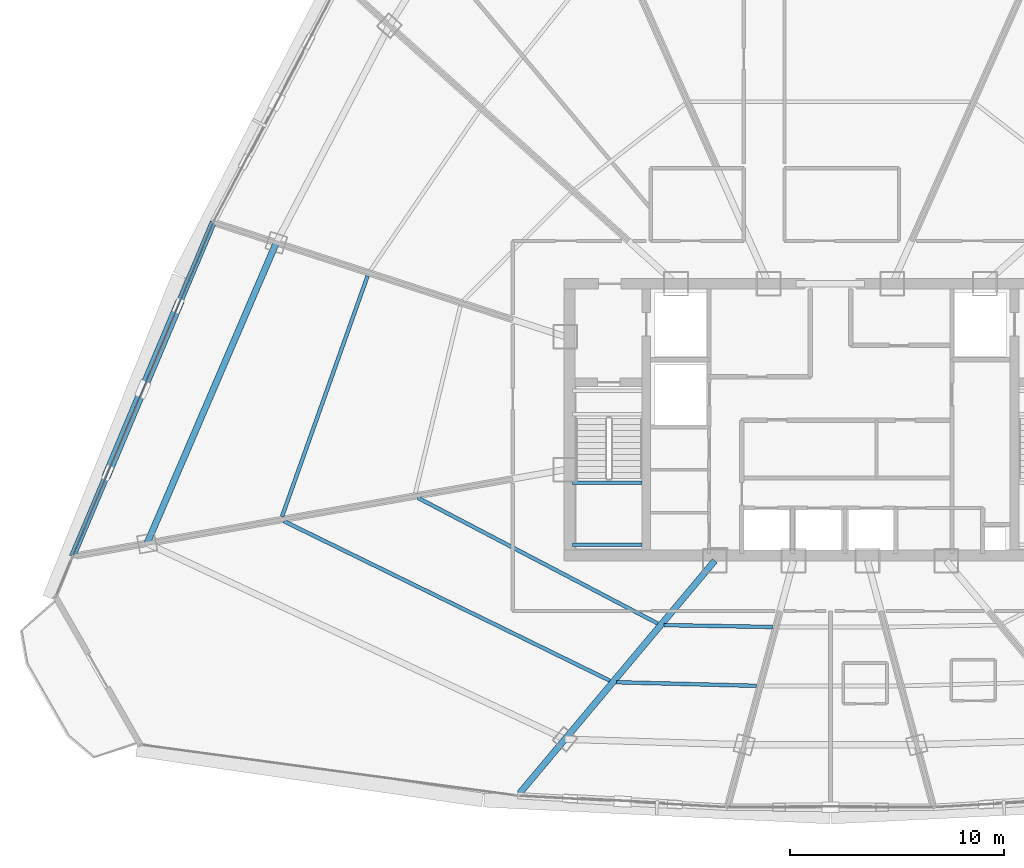
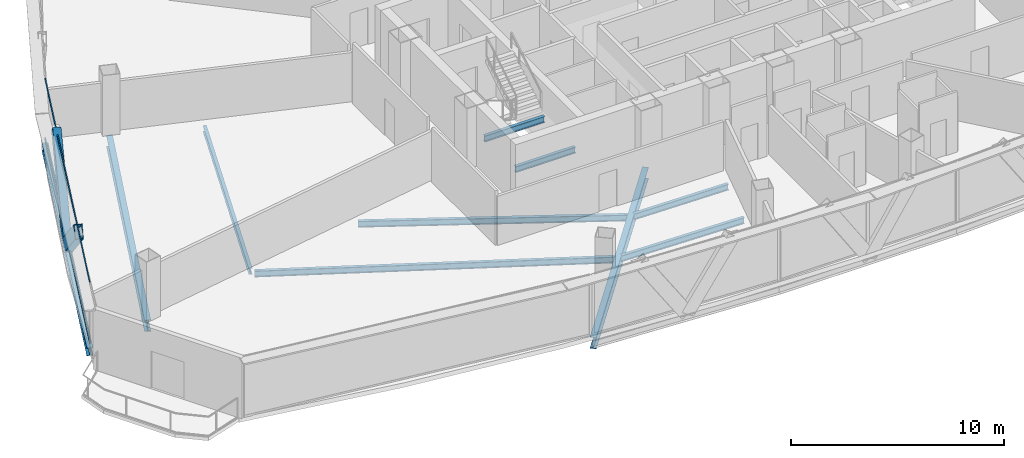
# One storey, part 7 of 34: 10 beams, 4 members, 1 element without a shape of its own.
"""IFC4 building model written with IfcOpenShell, lengths in metres."""

from ifc_helpers import new_model, si_unit, direction, frame, origin, origin_2d, place, context, subcontext, project, spatial, hollow_rectangle, i_section, extrude, source, transform, mapped, material, layer, layer_set, material_profile, profile_set, type_object, element, aggregate, save


model = new_model("IFC4")

# Units and contexts
model_context = context("Model", 3, precision=1e-05, world=origin(), true_north=direction((0.0, 1.0)))
body_context = subcontext(model_context, "Body", "Model", "MODEL_VIEW")
ifc_project = project(units=[si_unit("LENGTHUNIT", "METRE"), si_unit("AREAUNIT", "SQUARE_METRE"), si_unit("VOLUMEUNIT", "CUBIC_METRE"), si_unit("PLANEANGLEUNIT", "RADIAN"), si_unit("MASSUNIT", "GRAM", prefix="KILO"), si_unit("THERMODYNAMICTEMPERATUREUNIT", "KELVIN"), si_unit("POWERUNIT", "WATT")], contexts=[model_context])

# Site, building, storey
site_placement = place(None, origin())
site = spatial("IfcSite", under=ifc_project, at=site_placement, CompositionType="ELEMENT")
building_placement = place(site_placement, origin())
building = spatial("IfcBuilding", under=site, at=building_placement, Name="Yunzhuo Pagoda Commons", CompositionType="ELEMENT")
storey_placement = place(building_placement, frame((0.0, 0.0, 233.340087890625)))
storey = spatial("IfcBuildingStorey", under=building, at=storey_placement, Name="L58", CompositionType="ELEMENT", Elevation=233.340087890625)

# Beams
ifc_material_1 = material(Name="Structural steel Q355B", Category="steel")
ifc_material_profile_1 = material_profile(ifc_material_1, i_section(OverallWidth=0.175048828125, OverallDepth=0.35009765625, WebThickness=0.007080078125, FlangeThickness=0.010986328125, at=origin_2d()), Name="Structural steel Q355B")
ifc_profile_set_1 = profile_set([ifc_material_profile_1], Name="Structural steel Q355B")
beam_type_1 = type_object("IfcBeamType", Name="B-JS2 Joist HN 350x175x7x11", PredefinedType="JOIST", material=ifc_profile_set_1)
shared_shape_1 = source(origin(), body_context, "Body", "SweptSolid", [
    extrude(i_section(OverallWidth=0.175048828125, OverallDepth=0.35009765625, WebThickness=0.007080078125, FlangeThickness=0.010986328125, at=origin_2d()), origin(), (0.0, 0.0, 1.0), 3.25),
])
for number, where, z_axis, x_axis, name in (
    (1, (35.949951171875, 28.0, 1.489990234375), (1.0, 0.0, 0.0), (0.0, 1.0, 0.0), "L58 ST1 landing support beam 64A"),
    (2, (35.949951171875, 30.89990234375, 1.489990234375), (1.0, 0.0, 0.0), (0.0, 1.0, 0.0), "L58 ST1 landing support beam 64B"),
):
    element("IfcBeam", number, at=place(storey_placement, frame(where, z_axis=z_axis, x_axis=x_axis)), inside=storey, type_object=beam_type_1, Name=name, PredefinedType="JOIST", context=body_context, shape_type="MappedRepresentation", body=[
        mapped(shared_shape_1, transform((0.0, 0.0, 0.0), scale=1.0)),
    ])
ifc_material_profile_2 = material_profile(ifc_material_1, i_section(OverallWidth=0.300048828125, OverallDepth=0.43994140625, WebThickness=0.010986328125, FlangeThickness=0.01806640625, at=origin_2d()), Name="Structural steel Q355B")
ifc_profile_set_2 = profile_set([ifc_material_profile_2], Name="Structural steel Q355B")
beam_type_2 = type_object("IfcBeamType", Name="B-SP2 Beam HM 440x300x11x18", PredefinedType="BEAM", material=ifc_profile_set_2)
shared_shape_2 = source(origin(), body_context, "Body", "SweptSolid", [
    extrude(i_section(OverallWidth=0.300048828125, OverallDepth=0.43994140625, WebThickness=0.010986328125, FlangeThickness=0.01806640625, at=origin_2d()), origin(), (0.0, 0.0, 1.0), 16.947021484375),
])
beam_1_placement = place(storey_placement, frame((19.15576171875, 43.072265625, -0.47998046875), z_axis=(-0.388172279694, -0.921586827856, 0.0), x_axis=(0.921586827856, -0.388172279694, 0.0)))
element("IfcBeam", 3, at=beam_1_placement, inside=storey, type_object=beam_type_2, Name="L58 facade edge spandrel beam F3.3", PredefinedType="BEAM", context=body_context, shape_type="MappedRepresentation", body=[
    mapped(shared_shape_2, transform((0.0, 0.0, 0.0), scale=1.0)),
])
ifc_material_profile_3 = material_profile(ifc_material_1, i_section(OverallWidth=0.300048828125, OverallDepth=0.64990234375, WebThickness=0.012939453125, FlangeThickness=0.02197265625, at=origin_2d()), Name="Structural steel Q355B")
ifc_profile_set_3 = profile_set([ifc_material_profile_3], Name="Structural steel Q355B")
beam_type_3 = type_object("IfcBeamType", Name="B-RG2 Beam HN 650x300x13x22", PredefinedType="BEAM", material=ifc_profile_set_3)
shared_shape_3 = source(origin(), body_context, "Body", "SweptSolid", [
    extrude(i_section(OverallWidth=0.300048828125, OverallDepth=0.64990234375, WebThickness=0.012939453125, FlangeThickness=0.02197265625, at=origin_2d()), origin(), (0.0, 0.0, 1.0), 15.287841796875),
])
beam_2_placement = place(storey_placement, frame((22.101806640625, 42.114990234375, -0.585205078125), z_axis=(-0.394815333819, -0.918760497726, 0.0), x_axis=(0.918760497726, -0.394815333819, 0.0)))
element("IfcBeam", 4, at=beam_2_placement, inside=storey, type_object=beam_type_3, Name="L58 column-ring beam 11", PredefinedType="BEAM", context=body_context, shape_type="MappedRepresentation", body=[
    mapped(shared_shape_3, transform((0.0, 0.0, 0.0), scale=1.0)),
])
shared_shape_4 = source(origin(), body_context, "Body", "SweptSolid", [
    extrude(i_section(OverallWidth=0.300048828125, OverallDepth=0.64990234375, WebThickness=0.012939453125, FlangeThickness=0.02197265625, at=origin_2d()), origin(), (0.0, 0.0, 1.0), 14.174072265625),
])
beam_3_placement = place(storey_placement, frame((33.47705078125, 16.39208984375, -0.585205078125), z_axis=(0.642786427105, 0.766045435421, 0.0), x_axis=(-0.766045435421, 0.642786427105, 0.0)))
element("IfcBeam", 5, at=beam_3_placement, inside=storey, type_object=beam_type_3, Name="L58 radial floor girder F1C1", PredefinedType="BEAM", context=body_context, shape_type="MappedRepresentation", body=[
    mapped(shared_shape_4, transform((0.0, 0.0, 0.0), scale=1.0)),
])
shared_shape_5 = source(origin(), body_context, "Body", "SweptSolid", [
    extrude(i_section(OverallWidth=0.175048828125, OverallDepth=0.35009765625, WebThickness=0.007080078125, FlangeThickness=0.010986328125, at=origin_2d()), origin(), (0.0, 0.0, 1.0), 5.0556640625),
])
beam_4_placement = place(storey_placement, frame((40.228515625, 24.24609375, -0.43505859375), z_axis=(0.999848878561, -0.017384477, 0.0), x_axis=(0.017384477, 0.999848878561, 0.0)))
element("IfcBeam", 6, at=beam_4_placement, inside=storey, type_object=beam_type_1, Name="L58 composite ring joist 1.1", PredefinedType="JOIST", context=body_context, shape_type="MappedRepresentation", body=[
    mapped(shared_shape_5, transform((0.0, 0.0, 0.0), scale=1.0)),
])
shared_shape_6 = source(origin(), body_context, "Body", "SweptSolid", [
    extrude(i_section(OverallWidth=0.175048828125, OverallDepth=0.35009765625, WebThickness=0.007080078125, FlangeThickness=0.010986328125, at=origin_2d()), origin(), (0.0, 0.0, 1.0), 6.558349609375),
])
beam_5_placement = place(storey_placement, frame((37.990234375, 21.577392578125, -0.43505859375), z_axis=(0.99966910323, -0.025723220017, 0.0), x_axis=(0.025723220017, 0.99966910323, 0.0)))
element("IfcBeam", 7, at=beam_5_placement, inside=storey, type_object=beam_type_1, Name="L58 composite ring joist 2.1", PredefinedType="JOIST", context=body_context, shape_type="MappedRepresentation", body=[
    mapped(shared_shape_6, transform((0.0, 0.0, 0.0), scale=1.0)),
])
shared_shape_7 = source(origin(), body_context, "Body", "SweptSolid", [
    extrude(i_section(OverallWidth=0.175048828125, OverallDepth=0.35009765625, WebThickness=0.007080078125, FlangeThickness=0.010986328125, at=origin_2d()), origin(), (0.0, 0.0, 1.0), 12.666259765625),
])
beam_6_placement = place(storey_placement, frame((28.70849609375, 30.19970703125, -0.43505859375), z_axis=(0.885841344078, -0.463988268302, 0.0), x_axis=(0.463988268302, 0.885841344078, 0.0)))
element("IfcBeam", 8, at=beam_6_placement, inside=storey, type_object=beam_type_1, Name="L58 composite ring joist 1.12", PredefinedType="JOIST", context=body_context, shape_type="MappedRepresentation", body=[
    mapped(shared_shape_7, transform((0.0, 0.0, 0.0), scale=1.0)),
])
shared_shape_8 = source(origin(), body_context, "Body", "SweptSolid", [
    extrude(i_section(OverallWidth=0.175048828125, OverallDepth=0.35009765625, WebThickness=0.007080078125, FlangeThickness=0.010986328125, at=origin_2d()), origin(), (0.0, 0.0, 1.0), 16.95361328125),
])
beam_7_placement = place(storey_placement, frame((22.459716796875, 29.101806640625, -0.43505859375), z_axis=(0.898261717675, -0.439460904473, 0.0), x_axis=(0.439460904473, 0.898261717675, 0.0)))
element("IfcBeam", 9, at=beam_7_placement, inside=storey, type_object=beam_type_1, Name="L58 composite ring joist 2.12", PredefinedType="JOIST", context=body_context, shape_type="MappedRepresentation", body=[
    mapped(shared_shape_8, transform((0.0, 0.0, 0.0), scale=1.0)),
])
shared_shape_9 = source(origin(), body_context, "Body", "SweptSolid", [
    extrude(i_section(OverallWidth=0.175048828125, OverallDepth=0.35009765625, WebThickness=0.007080078125, FlangeThickness=0.010986328125, at=origin_2d()), origin(), (0.0, 0.0, 1.0), 11.929931640625),
])
beam_8_placement = place(storey_placement, frame((26.36767578125, 40.5615234375, -0.43505859375), z_axis=(-0.335086374925, -0.942187413066, 0.0), x_axis=(0.942187413066, -0.335086374925, 0.0)))
element("IfcBeam", 10, at=beam_8_placement, inside=storey, type_object=beam_type_1, Name="L58 composite ring joist 2.11", PredefinedType="JOIST", context=body_context, shape_type="MappedRepresentation", body=[
    mapped(shared_shape_9, transform((0.0, 0.0, 0.0), scale=1.0)),
])

# Members
ifc_material_profile_4 = material_profile(ifc_material_1, hollow_rectangle(XDim=0.39990234375, YDim=0.719970703125, WallThickness=0.02392578125, at=origin_2d()), Name="Structural steel Q355B")
ifc_profile_set_4 = profile_set([ifc_material_profile_4], Name="Structural steel Q355B")
member_type_1 = type_object("IfcMemberType", Name="M-DL2 Brace BOX 720x400x24", PredefinedType="BRACE", material=ifc_profile_set_4)
shared_shape_10 = source(origin(), body_context, "Body", "SweptSolid", [
    extrude(hollow_rectangle(XDim=0.39990234375, YDim=0.719970703125, WallThickness=0.02392578125, at=origin_2d()), origin(), (0.0, 0.0, 1.0), 5.644775390625),
])
for number, where, z_axis, x_axis, name in (
    (11, (15.86669921875, 35.26318359375, -0.260009765625), (0.291380168499, 0.691708926051, 0.660784654049), (-0.921571366712, 0.388208985027, 0.0), "L58 facade diamond brace F3.3L"),
    (12, (15.86669921875, 35.26318359375, -0.260009765625), (-0.291380168499, -0.691708926051, 0.660784654049), (0.921571366712, -0.388208985027, 0.0), "L58 facade diamond brace F3.3R"),
):
    element("IfcMember", number, at=place(storey_placement, frame(where, z_axis=z_axis, x_axis=x_axis)), inside=storey, type_object=member_type_1, Name=name, PredefinedType="BRACE", context=body_context, shape_type="MappedRepresentation", body=[
        mapped(shared_shape_10, transform((0.0, 0.0, 0.0), scale=1.0)),
    ])

# Curtain wall, members
ifc_material_2 = material(Name="Anodized aluminium 6063-T6", Category="aluminium")
ifc_layer = layer(ifc_material_2, 0.139892578125)
ifc_layer_set = layer_set([ifc_layer], Name="Anodized aluminium 6063-T6")
curtain_wall_type = type_object("IfcCurtainWallType", Name="CW-HI High-Zone Ribbon Curtain Wall", PredefinedType="NOTDEFINED", material=ifc_layer_set)
curtain_wall_placement = place(storey_placement, origin())
curtain_wall = element("IfcCurtainWall", 13, at=curtain_wall_placement, inside=storey, type_object=curtain_wall_type, Name="L58 curtain wall CW-L58-F3B4", PredefinedType="NOTDEFINED")
ifc_material_profile_5 = material_profile(ifc_material_2, hollow_rectangle(XDim=0.054931640625, YDim=0.1201171875, WallThickness=0.00341796875, at=origin_2d()), Name="Anodized aluminium 6063-T6")
ifc_profile_set_5 = profile_set([ifc_material_profile_5], Name="Anodized aluminium 6063-T6")
member_type_2 = type_object("IfcMemberType", Name="CW-HI-T Transom RHS 120x55x3.5", PredefinedType="USERDEFINED", material=ifc_profile_set_5)
shared_shape_11 = source(origin(), body_context, "Body", "SweptSolid", [
    extrude(hollow_rectangle(XDim=0.054931640625, YDim=0.1201171875, WallThickness=0.00341796875, at=origin_2d()), origin(), (0.0, 0.0, 1.0), 16.826904296875),
])
member_1_placement = place(storey_placement, frame((19.13232421875, 43.016845703125, 0.02734375), z_axis=(-0.388157536134, -0.921593037703, 0.0), x_axis=(0.921593037703, -0.388157536134, 0.0)))
member_1 = element("IfcMember", 14, at=member_1_placement, type_object=member_type_2, Name="CW transom 1.1", ObjectType="TRANSOM", PredefinedType="USERDEFINED", context=body_context, shape_type="MappedRepresentation", body=[
    mapped(shared_shape_11, transform((0.0, 0.0, 0.0), scale=1.0)),
])
member_2_placement = place(storey_placement, frame((19.13232421875, 43.016845703125, 3.4423828125), z_axis=(-0.388157536134, -0.921593037703, 0.0), x_axis=(0.921593037703, -0.388157536134, 0.0)))
member_2 = element("IfcMember", 15, at=member_2_placement, type_object=member_type_2, Name="CW transom 1.2", ObjectType="TRANSOM", PredefinedType="USERDEFINED", context=body_context, shape_type="MappedRepresentation", body=[
    mapped(shared_shape_11, transform((0.0, 0.0, 0.0), scale=1.0)),
])
aggregate(curtain_wall, [member_1, member_2])

save(model, "model.ifc")
